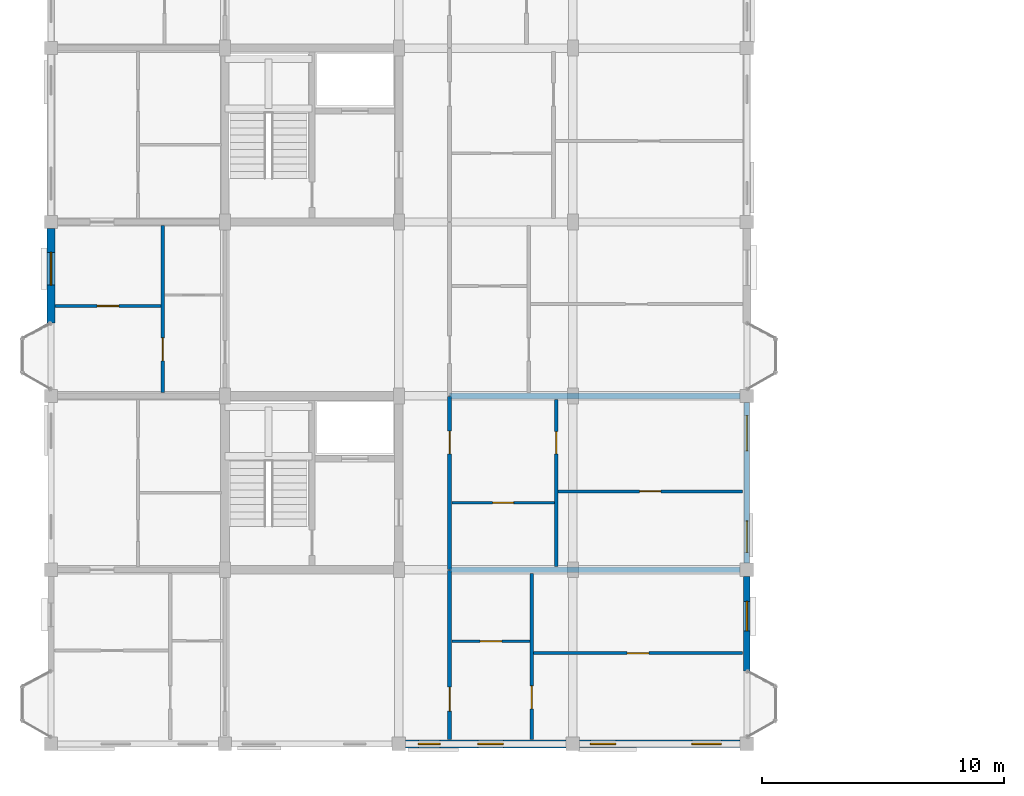
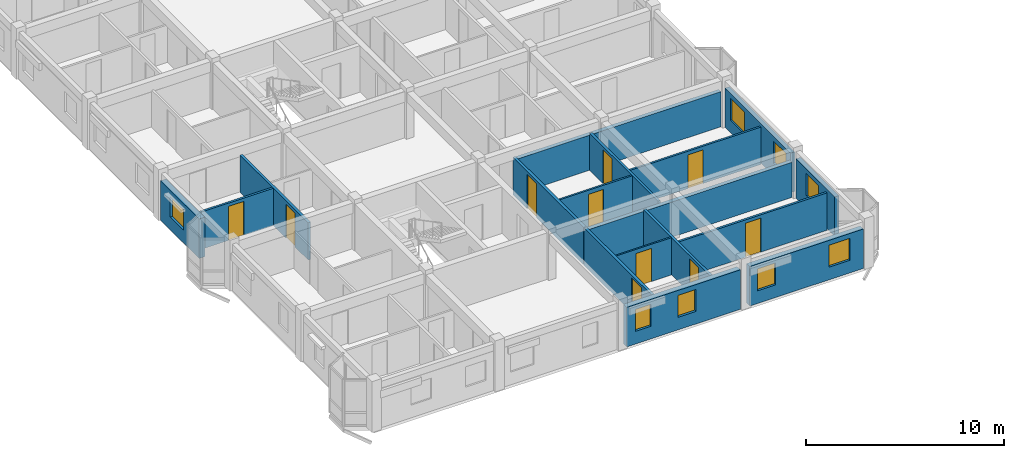
# One storey, part 51 of 77: 17 walls, 10 doors, 8 windows, 18 openings.
"""IFC4 building model written with IfcOpenShell, lengths in metres."""

from ifc_helpers import new_model, si_unit, direction, frame, frame_2d, origin, place, context, subcontext, project, spatial, rectangle, extrude, material, layer, layer_set, type_object, element, fill, save


model = new_model("IFC4")

# Units and contexts
model_context = context("Model", 3, precision=1e-05, world=origin(), true_north=direction((0.0, 1.0)))
body_context = subcontext(model_context, "Body", "Model", "MODEL_VIEW")
ifc_project = project(units=[si_unit("LENGTHUNIT", "METRE"), si_unit("AREAUNIT", "SQUARE_METRE"), si_unit("VOLUMEUNIT", "CUBIC_METRE"), si_unit("PLANEANGLEUNIT", "RADIAN"), si_unit("MASSUNIT", "GRAM", prefix="KILO"), si_unit("THERMODYNAMICTEMPERATUREUNIT", "KELVIN"), si_unit("POWERUNIT", "WATT")], contexts=[model_context])

# Site, building, storey
site_placement = place(None, origin())
site = spatial("IfcSite", under=ifc_project, at=site_placement, CompositionType="ELEMENT")
building_placement = place(site_placement, origin())
building = spatial("IfcBuilding", under=site, at=building_placement, Name="Tavuni Mirador Residences", CompositionType="ELEMENT")
storey_placement = place(building_placement, frame((0.0, 0.0, 17.10009765625)))
storey = spatial("IfcBuildingStorey", under=building, at=storey_placement, Name="L05", CompositionType="ELEMENT", Elevation=17.10009765625)

# Wall, opening, door
ifc_material_1 = material(Name="Precast concrete C40/50", Category="concrete")
ifc_layer_1 = layer(ifc_material_1, 0.1650390625, Name="Precast concrete C40/50", Category="concrete")
ifc_layer_set_1 = layer_set([ifc_layer_1], Name="Precast concrete C40/50")
wall_type_1 = type_object("IfcWallType", Name="WT-CORR165", PredefinedType="PARTITIONING", material=ifc_layer_set_1)
wall_1_placement = place(storey_placement, frame((20.10009765625, 7.375, 0.0), z_axis=(0.0, 0.0, 1.0), x_axis=(0.0, 1.0, 0.0)))
wall_1 = element("IfcWall", 1, at=wall_1_placement, inside=storey, type_object=wall_type_1, Name="CORW-BLK-A-L05-0-00", PredefinedType="PARTITIONING", context=body_context, shape_type="SweptSolid", body=[
    extrude(rectangle(XDim=7.0048828125, YDim=0.1650390625, at=frame_2d((3.50244140625, 0.0))), origin(), (0.0, 0.0, 1.0), 2.304931640625),
])
opening_1_placement = place(wall_1_placement, frame((1.175048828125, 0.0, 0.0)))
opening_1 = element("IfcOpeningElement", 2, at=opening_1_placement, cuts=wall_1, Name="Opening D-03", PredefinedType="OPENING", context=body_context, shape_type="SweptSolid", body=[
    extrude(rectangle(XDim=1.0, YDim=2.14990234375, at=frame_2d((0.5, 1.074951171875))), frame((0.0, 0.092529296875, 0.0), z_axis=(0.0, -1.0, 0.0), x_axis=(1.0, 0.0, 0.0)), (0.0, 0.0, 1.0), 0.18505859375),
])
ifc_material_2 = material(Name="Solid core iroko timber", Category="wood")
door_type_1 = type_object("IfcDoorType", Name="DT-FD60-1000", OperationType="NOTDEFINED", PredefinedType="DOOR", material=ifc_material_2)
door_1_placement = place(opening_1_placement, origin())
door_1 = element("IfcDoor", 3, at=door_1_placement, inside=storey, type_object=door_type_1, Name="DR-2433", OperationType="SINGLE_SWING_RIGHT", OverallHeight=2.14990234375, OverallWidth=1.0, PredefinedType="DOOR", context=body_context, shape_type="SweptSolid", body=[
    extrude(rectangle(XDim=1.0, YDim=2.14990234375, at=frame_2d((0.5, 1.074951171875))), frame((0.0, 0.02490234375, 0.0), z_axis=(0.0, -1.0, 0.0), x_axis=(1.0, 0.0, 0.0)), (0.0, 0.0, 1.0), 0.050048828125),
])
fill(opening_1, door_1)

wall_2_placement = place(storey_placement, frame((20.10009765625, 14.419921875, 0.0), z_axis=(0.0, 0.0, 1.0), x_axis=(0.0, 1.0, 0.0)))
wall_2 = element("IfcWall", 4, at=wall_2_placement, inside=storey, type_object=wall_type_1, Name="CORW-BLK-A-L05-0-01", PredefinedType="PARTITIONING", context=body_context, shape_type="SweptSolid", body=[
    extrude(rectangle(XDim=7.16015625, YDim=0.1650390625, at=frame_2d((3.580078125, 0.0))), origin(), (0.0, 0.0, 1.0), 2.304931640625),
])
opening_2_placement = place(wall_2_placement, frame((4.780029296875, 0.0, 0.0)))
opening_2 = element("IfcOpeningElement", 5, at=opening_2_placement, cuts=wall_2, Name="Opening D-19", PredefinedType="OPENING", context=body_context, shape_type="SweptSolid", body=[
    extrude(rectangle(XDim=0.93994140625, YDim=2.1201171875, at=frame_2d((0.469970703125, 1.06005859375))), frame((0.0, 0.092529296875, 0.0), z_axis=(0.0, -1.0, 0.0), x_axis=(1.0, 0.0, 0.0)), (0.0, 0.0, 1.0), 0.18505859375),
])
door_type_2 = type_object("IfcDoorType", Name="DT-FD60-940", OperationType="NOTDEFINED", PredefinedType="DOOR", material=ifc_material_2)
door_2_placement = place(opening_2_placement, origin())
door_2 = element("IfcDoor", 6, at=door_2_placement, inside=storey, type_object=door_type_2, Name="DR-2434", OperationType="SINGLE_SWING_LEFT", OverallHeight=2.1201171875, OverallWidth=0.93994140625, PredefinedType="DOOR", context=body_context, shape_type="SweptSolid", body=[
    extrude(rectangle(XDim=0.93994140625, YDim=2.1201171875, at=frame_2d((0.469970703125, 1.06005859375))), frame((0.0, 0.02490234375, 0.0), z_axis=(0.0, -1.0, 0.0), x_axis=(1.0, 0.0, 0.0)), (0.0, 0.0, 1.0), 0.050048828125),
])
fill(opening_2, door_2)

# Wall, openings, windows
ifc_layer_2 = layer(ifc_material_1, 0.330078125, Name="Precast concrete C40/50", Category="concrete")
ifc_layer_set_2 = layer_set([ifc_layer_2], Name="Precast concrete C40/50")
wall_type_2 = type_object("IfcWallType", Name="WT-EXT-COR330", PredefinedType="SOLIDWALL", material=ifc_layer_set_2)
wall_3_placement = place(storey_placement, frame((18.27490234375, 7.199951171875, 0.0), z_axis=(0.0, 0.0, 1.0), x_axis=(1.0, 0.0, 0.0)))
wall_3 = element("IfcWall", 7, at=wall_3_placement, inside=storey, type_object=wall_type_2, Name="EW-BLK-A-L05-S02", PredefinedType="SOLIDWALL", context=body_context, shape_type="SweptSolid", body=[
    extrude(rectangle(XDim=6.650146484375, YDim=0.330078125, at=frame_2d((3.3251953125, 0.0))), origin(), (0.0, 0.0, 1.0), 2.43994140625),
])
opening_3_placement = place(wall_3_placement, frame((0.532470703125, 0.0, 0.780029296875)))
opening_3 = element("IfcOpeningElement", 8, at=opening_3_placement, cuts=wall_3, Name="Opening WN-17", PredefinedType="OPENING", context=body_context, shape_type="SweptSolid", body=[
    extrude(rectangle(XDim=0.89990234375, YDim=1.360107421875, at=frame_2d((0.449951171875, 0.68017578125))), frame((0.0, 0.175048828125, 0.0), z_axis=(0.0, -1.0, 0.0), x_axis=(1.0, 0.0, 0.0)), (0.0, 0.0, 1.0), 0.35009765625),
])
opening_4_placement = place(wall_3_placement, frame((2.9951171875, 0.0, 0.780029296875)))
opening_4 = element("IfcOpeningElement", 9, at=opening_4_placement, cuts=wall_3, Name="Opening WN-19", PredefinedType="OPENING", context=body_context, shape_type="SweptSolid", body=[
    extrude(rectangle(XDim=1.06005859375, YDim=1.360107421875, at=frame_2d((0.530029296875, 0.68017578125))), frame((0.0, 0.175048828125, 0.0), z_axis=(0.0, -1.0, 0.0), x_axis=(1.0, 0.0, 0.0)), (0.0, 0.0, 1.0), 0.35009765625),
])
ifc_material_3 = material(Name="Laminated solar-control glass", Category="glass")
window_type_1 = type_object("IfcWindowType", Name="WNT-17", PartitioningType="SINGLE_PANEL", PredefinedType="WINDOW", material=ifc_material_3)
window_1_placement = place(opening_3_placement, origin())
window_1 = element("IfcWindow", 10, at=window_1_placement, inside=storey, type_object=window_type_1, Name="WIN-0191", OverallHeight=1.360107421875, OverallWidth=0.89990234375, PartitioningType="SINGLE_PANEL", PredefinedType="WINDOW", context=body_context, shape_type="SweptSolid", body=[
    extrude(rectangle(XDim=0.89990234375, YDim=1.360107421875, at=frame_2d((0.449951171875, 0.68017578125))), frame((0.0, 0.030029296875, 0.0), z_axis=(0.0, -1.0, 0.0), x_axis=(1.0, 0.0, 0.0)), (0.0, 0.0, 1.0), 0.06005859375),
])
fill(opening_3, window_1)
window_type_2 = type_object("IfcWindowType", Name="WNT-19", PartitioningType="SINGLE_PANEL", PredefinedType="WINDOW", material=ifc_material_3)
window_2_placement = place(opening_4_placement, origin())
window_2 = element("IfcWindow", 11, at=window_2_placement, inside=storey, type_object=window_type_2, Name="WIN-0192", OverallHeight=1.360107421875, OverallWidth=1.06005859375, PartitioningType="SINGLE_PANEL", PredefinedType="WINDOW", context=body_context, shape_type="SweptSolid", body=[
    extrude(rectangle(XDim=1.06005859375, YDim=1.360107421875, at=frame_2d((0.530029296875, 0.68017578125))), frame((0.0, 0.030029296875, 0.0), z_axis=(0.0, -1.0, 0.0), x_axis=(1.0, 0.0, 0.0)), (0.0, 0.0, 1.0), 0.06005859375),
])
fill(opening_4, window_2)

# Wall, opening, window
wall_4_placement = place(storey_placement, frame((3.60009765625, 28.52490234375, 0.0), z_axis=(0.0, 0.0, 1.0), x_axis=(0.0, -1.0, 0.0)))
wall_4 = element("IfcWall", 12, at=wall_4_placement, inside=storey, type_object=wall_type_2, Name="EW-BLK-A-L05-W02", PredefinedType="SOLIDWALL", context=body_context, shape_type="SweptSolid", body=[
    extrude(rectangle(XDim=3.90478515625, YDim=0.330078125, at=frame_2d((1.952392578125, 0.0))), origin(), (0.0, 0.0, 1.0), 2.43994140625),
])
opening_5_placement = place(wall_4_placement, frame((0.9775390625, 0.0, 0.780029296875)))
opening_5 = element("IfcOpeningElement", 13, at=opening_5_placement, cuts=wall_4, Name="Opening WN-15", PredefinedType="OPENING", context=body_context, shape_type="SweptSolid", body=[
    extrude(rectangle(XDim=1.360107421875, YDim=1.260009765625, at=frame_2d((0.68017578125, 0.6298828125))), frame((0.0, 0.175048828125, 0.0), z_axis=(0.0, -1.0, 0.0), x_axis=(1.0, 0.0, 0.0)), (0.0, 0.0, 1.0), 0.35009765625),
])
window_type_3 = type_object("IfcWindowType", Name="WNT-15", PartitioningType="SINGLE_PANEL", PredefinedType="WINDOW", material=ifc_material_3)
window_3_placement = place(opening_5_placement, origin())
window_3 = element("IfcWindow", 14, at=window_3_placement, inside=storey, type_object=window_type_3, Name="WIN-0219", OverallHeight=1.260009765625, OverallWidth=1.360107421875, PartitioningType="SINGLE_PANEL", PredefinedType="WINDOW", context=body_context, shape_type="SweptSolid", body=[
    extrude(rectangle(XDim=1.360107421875, YDim=1.260009765625, at=frame_2d((0.68017578125, 0.6298828125))), frame((0.0, 0.030029296875, 0.0), z_axis=(0.0, -1.0, 0.0), x_axis=(1.0, 0.0, 0.0)), (0.0, 0.0, 1.0), 0.06005859375),
])
fill(opening_5, window_3)

# Wall, openings, windows
ifc_material_4 = material(Name="Sgraffito lime-rendered precast concrete C40/50", Category="concrete")
ifc_layer_3 = layer(ifc_material_4, 0.2451171875, Name="Sgraffito lime-rendered precast concrete C40/50", Category="concrete")
ifc_layer_set_3 = layer_set([ifc_layer_3], Name="Sgraffito lime-rendered precast concrete C40/50")
wall_type_3 = type_object("IfcWallType", Name="WT-EXT-PC245", PredefinedType="SOLIDWALL", material=ifc_layer_set_3)
wall_5_placement = place(storey_placement, frame((32.39990234375, 14.675048828125, 0.0), z_axis=(0.0, 0.0, 1.0), x_axis=(0.0, 1.0, 0.0)))
wall_5 = element("IfcWall", 15, at=wall_5_placement, inside=storey, type_object=wall_type_3, Name="EW-BLK-A-L05-E01", PredefinedType="SOLIDWALL", context=body_context, shape_type="SweptSolid", body=[
    extrude(rectangle(XDim=6.64990234375, YDim=0.2451171875, at=frame_2d((3.324951171875, 0.0))), origin(), (0.0, 0.0, 1.0), 2.43994140625),
])
opening_6_placement = place(wall_5_placement, frame((0.449951171875, 0.0, 0.780029296875)))
opening_6 = element("IfcOpeningElement", 16, at=opening_6_placement, cuts=wall_5, Name="Opening WN-22", PredefinedType="OPENING", context=body_context, shape_type="SweptSolid", body=[
    extrude(rectangle(XDim=1.300048828125, YDim=1.360107421875, at=frame_2d((0.64990234375, 0.68017578125))), frame((0.0, 0.132568359375, 0.0), z_axis=(0.0, -1.0, 0.0), x_axis=(1.0, 0.0, 0.0)), (0.0, 0.0, 1.0), 0.26513671875),
])
opening_7_placement = place(wall_5_placement, frame((4.64990234375, 0.0, 0.780029296875)))
opening_7 = element("IfcOpeningElement", 17, at=opening_7_placement, cuts=wall_5, Name="Opening WN-24", PredefinedType="OPENING", context=body_context, shape_type="SweptSolid", body=[
    extrude(rectangle(XDim=1.4599609375, YDim=1.360107421875, at=frame_2d((0.72998046875, 0.68017578125))), frame((0.0, 0.132568359375, 0.0), z_axis=(0.0, -1.0, 0.0), x_axis=(1.0, 0.0, 0.0)), (0.0, 0.0, 1.0), 0.26513671875),
])
window_type_4 = type_object("IfcWindowType", Name="WNT-22", PartitioningType="SINGLE_PANEL", PredefinedType="WINDOW", material=ifc_material_3)
window_4_placement = place(opening_6_placement, origin())
window_4 = element("IfcWindow", 18, at=window_4_placement, inside=storey, type_object=window_type_4, Name="WIN-0196", OverallHeight=1.360107421875, OverallWidth=1.300048828125, PartitioningType="SINGLE_PANEL", PredefinedType="WINDOW", context=body_context, shape_type="SweptSolid", body=[
    extrude(rectangle(XDim=1.300048828125, YDim=1.360107421875, at=frame_2d((0.64990234375, 0.68017578125))), frame((0.0, 0.030029296875, 0.0), z_axis=(0.0, -1.0, 0.0), x_axis=(1.0, 0.0, 0.0)), (0.0, 0.0, 1.0), 0.06005859375),
])
fill(opening_6, window_4)
window_type_5 = type_object("IfcWindowType", Name="WNT-24", PartitioningType="SINGLE_PANEL", PredefinedType="WINDOW", material=ifc_material_3)
window_5_placement = place(opening_7_placement, origin())
window_5 = element("IfcWindow", 19, at=window_5_placement, inside=storey, type_object=window_type_5, Name="WIN-0197", OverallHeight=1.360107421875, OverallWidth=1.4599609375, PartitioningType="SINGLE_PANEL", PredefinedType="WINDOW", context=body_context, shape_type="SweptSolid", body=[
    extrude(rectangle(XDim=1.4599609375, YDim=1.360107421875, at=frame_2d((0.72998046875, 0.68017578125))), frame((0.0, 0.030029296875, 0.0), z_axis=(0.0, -1.0, 0.0), x_axis=(1.0, 0.0, 0.0)), (0.0, 0.0, 1.0), 0.06005859375),
])
fill(opening_7, window_5)

# Wall, opening, window
ifc_layer_4 = layer(ifc_material_4, 0.2548828125, Name="Sgraffito lime-rendered precast concrete C40/50", Category="concrete")
ifc_layer_set_4 = layer_set([ifc_layer_4], Name="Sgraffito lime-rendered precast concrete C40/50")
wall_type_4 = type_object("IfcWallType", Name="WT-EXT-PC255", PredefinedType="SOLIDWALL", material=ifc_layer_set_4)
wall_6_placement = place(storey_placement, frame((32.39990234375, 10.219970703125, 0.0), z_axis=(0.0, 0.0, 1.0), x_axis=(0.0, 1.0, 0.0)))
wall_6 = element("IfcWall", 20, at=wall_6_placement, inside=storey, type_object=wall_type_4, Name="EW-BLK-A-L05-E00", PredefinedType="SOLIDWALL", context=body_context, shape_type="SweptSolid", body=[
    extrude(rectangle(XDim=3.905029296875, YDim=0.2548828125, at=frame_2d((1.95263671875, 0.0))), origin(), (0.0, 0.0, 1.0), 2.43994140625),
])
opening_8_placement = place(wall_6_placement, frame((1.652587890625, 0.0, 0.780029296875)))
opening_8 = element("IfcOpeningElement", 21, at=opening_8_placement, cuts=wall_6, Name="Opening WN-21", PredefinedType="OPENING", context=body_context, shape_type="SweptSolid", body=[
    extrude(rectangle(XDim=1.219970703125, YDim=1.360107421875, at=frame_2d((0.60986328125, 0.68017578125))), frame((0.0, 0.137451171875, 0.0), z_axis=(0.0, -1.0, 0.0), x_axis=(1.0, 0.0, 0.0)), (0.0, 0.0, 1.0), 0.27490234375),
])
window_type_6 = type_object("IfcWindowType", Name="WNT-21", PartitioningType="SINGLE_PANEL", PredefinedType="WINDOW", material=ifc_material_3)
window_6_placement = place(opening_8_placement, origin())
window_6 = element("IfcWindow", 22, at=window_6_placement, inside=storey, type_object=window_type_6, Name="WIN-0195", OverallHeight=1.360107421875, OverallWidth=1.219970703125, PartitioningType="SINGLE_PANEL", PredefinedType="WINDOW", context=body_context, shape_type="SweptSolid", body=[
    extrude(rectangle(XDim=1.219970703125, YDim=1.360107421875, at=frame_2d((0.60986328125, 0.68017578125))), frame((0.0, 0.030029296875, 0.0), z_axis=(0.0, -1.0, 0.0), x_axis=(1.0, 0.0, 0.0)), (0.0, 0.0, 1.0), 0.06005859375),
])
fill(opening_8, window_6)

# Wall, openings, windows
ifc_layer_5 = layer(ifc_material_4, 0.31494140625, Name="Sgraffito lime-rendered precast concrete C40/50", Category="concrete")
ifc_layer_set_5 = layer_set([ifc_layer_5], Name="Sgraffito lime-rendered precast concrete C40/50")
wall_type_5 = type_object("IfcWallType", Name="WT-EXT-PC315", PredefinedType="SOLIDWALL", material=ifc_layer_set_5)
wall_7_placement = place(storey_placement, frame((25.47509765625, 7.199951171875, 0.0), z_axis=(0.0, 0.0, 1.0), x_axis=(1.0, 0.0, 0.0)))
wall_7 = element("IfcWall", 23, at=wall_7_placement, inside=storey, type_object=wall_type_5, Name="EW-BLK-A-L05-S03", PredefinedType="SOLIDWALL", context=body_context, shape_type="SweptSolid", body=[
    extrude(rectangle(XDim=6.64990234375, YDim=0.31494140625, at=frame_2d((3.324951171875, 0.0))), origin(), (0.0, 0.0, 1.0), 2.43994140625),
])
opening_9_placement = place(wall_7_placement, frame((0.449951171875, 0.0, 0.780029296875)))
opening_9 = element("IfcOpeningElement", 24, at=opening_9_placement, cuts=wall_7, Name="Opening WN-19", PredefinedType="OPENING", context=body_context, shape_type="SweptSolid", body=[
    extrude(rectangle(XDim=1.06005859375, YDim=1.360107421875, at=frame_2d((0.530029296875, 0.68017578125))), frame((0.0, 0.16748046875, 0.0), z_axis=(0.0, -1.0, 0.0), x_axis=(1.0, 0.0, 0.0)), (0.0, 0.0, 1.0), 0.3349609375),
])
opening_10_placement = place(wall_7_placement, frame((4.64990234375, 0.0, 0.780029296875)))
opening_10 = element("IfcOpeningElement", 25, at=opening_10_placement, cuts=wall_7, Name="Opening WN-21", PredefinedType="OPENING", context=body_context, shape_type="SweptSolid", body=[
    extrude(rectangle(XDim=1.219970703125, YDim=1.360107421875, at=frame_2d((0.60986328125, 0.68017578125))), frame((0.0, 0.16748046875, 0.0), z_axis=(0.0, -1.0, 0.0), x_axis=(1.0, 0.0, 0.0)), (0.0, 0.0, 1.0), 0.3349609375),
])
window_7_placement = place(opening_9_placement, origin())
window_7 = element("IfcWindow", 26, at=window_7_placement, inside=storey, type_object=window_type_2, Name="WIN-0193", OverallHeight=1.360107421875, OverallWidth=1.06005859375, PartitioningType="SINGLE_PANEL", PredefinedType="WINDOW", context=body_context, shape_type="SweptSolid", body=[
    extrude(rectangle(XDim=1.06005859375, YDim=1.360107421875, at=frame_2d((0.530029296875, 0.68017578125))), frame((0.0, 0.030029296875, 0.0), z_axis=(0.0, -1.0, 0.0), x_axis=(1.0, 0.0, 0.0)), (0.0, 0.0, 1.0), 0.06005859375),
])
fill(opening_9, window_7)
window_8_placement = place(opening_10_placement, origin())
window_8 = element("IfcWindow", 27, at=window_8_placement, inside=storey, type_object=window_type_6, Name="WIN-0194", OverallHeight=1.360107421875, OverallWidth=1.219970703125, PartitioningType="SINGLE_PANEL", PredefinedType="WINDOW", context=body_context, shape_type="SweptSolid", body=[
    extrude(rectangle(XDim=1.219970703125, YDim=1.360107421875, at=frame_2d((0.60986328125, 0.68017578125))), frame((0.0, 0.030029296875, 0.0), z_axis=(0.0, -1.0, 0.0), x_axis=(1.0, 0.0, 0.0)), (0.0, 0.0, 1.0), 0.06005859375),
])
fill(opening_10, window_8)

# Wall, opening, door
ifc_material_5 = material(Name="Acoustic gypsum and concrete block partition", Category="concrete")
ifc_layer_6 = layer(ifc_material_5, 0.094970703125, Name="Acoustic gypsum and concrete block partition", Category="concrete")
ifc_layer_set_6 = layer_set([ifc_layer_6], Name="Acoustic gypsum and concrete block partition")
wall_type_6 = type_object("IfcWallType", Name="WT-PART095", PredefinedType="PARTITIONING", material=ifc_layer_set_6)
wall_8_placement = place(storey_placement, frame((20.18994140625, 11.449951171875, 0.0), z_axis=(0.0, 0.0, 1.0), x_axis=(1.0, 0.0, 0.0)))
wall_8 = element("IfcWall", 28, at=wall_8_placement, inside=storey, type_object=wall_type_6, Name="PW-BLK-A-L05-E00-IN1", PredefinedType="PARTITIONING", context=body_context, shape_type="SweptSolid", body=[
    extrude(rectangle(XDim=3.239990234375, YDim=0.094970703125, at=frame_2d((1.6201171875, 0.0))), origin(), (0.0, 0.0, 1.0), 2.304931640625),
])
opening_11_placement = place(wall_8_placement, frame((1.169921875, 0.0, 0.0)))
opening_11 = element("IfcOpeningElement", 29, at=opening_11_placement, cuts=wall_8, Name="Opening D-09", PredefinedType="OPENING", context=body_context, shape_type="SweptSolid", body=[
    extrude(rectangle(XDim=0.89990234375, YDim=2.050048828125, at=frame_2d((0.449951171875, 1.02490234375))), frame((0.0, 0.0576171875, 0.0), z_axis=(0.0, -1.0, 0.0), x_axis=(1.0, 0.0, 0.0)), (0.0, 0.0, 1.0), 0.114990234375),
])
door_type_3 = type_object("IfcDoorType", Name="DT-WC900", OperationType="NOTDEFINED", PredefinedType="DOOR", material=ifc_material_2)
door_3_placement = place(opening_11_placement, origin())
door_3 = element("IfcDoor", 30, at=door_3_placement, inside=storey, type_object=door_type_3, Name="DR-3103", OperationType="SINGLE_SWING_RIGHT", OverallHeight=2.050048828125, OverallWidth=0.89990234375, PredefinedType="DOOR", context=body_context, shape_type="SweptSolid", body=[
    extrude(rectangle(XDim=0.89990234375, YDim=2.050048828125, at=frame_2d((0.449951171875, 1.02490234375))), frame((0.0, 0.02490234375, 0.0), z_axis=(0.0, -1.0, 0.0), x_axis=(1.0, 0.0, 0.0)), (0.0, 0.0, 1.0), 0.050048828125),
])
fill(opening_11, door_3)

ifc_layer_7 = layer(ifc_material_5, 0.10498046875, Name="Acoustic gypsum and concrete block partition", Category="concrete")
ifc_layer_set_7 = layer_set([ifc_layer_7], Name="Acoustic gypsum and concrete block partition")
wall_type_7 = type_object("IfcWallType", Name="WT-PART105", PredefinedType="PARTITIONING", material=ifc_layer_set_7)
wall_9_placement = place(storey_placement, frame((20.18994140625, 17.179931640625, 0.0), z_axis=(0.0, 0.0, 1.0), x_axis=(1.0, 0.0, 0.0)))
wall_9 = element("IfcWall", 31, at=wall_9_placement, inside=storey, type_object=wall_type_7, Name="PW-BLK-A-L05-E01-IN1", PredefinedType="PARTITIONING", context=body_context, shape_type="SweptSolid", body=[
    extrude(rectangle(XDim=4.25, YDim=0.10498046875, at=frame_2d((2.125, 0.0))), origin(), (0.0, 0.0, 1.0), 2.304931640625),
])
opening_12_placement = place(wall_9_placement, frame((1.68994140625, 0.0, 0.0)))
opening_12 = element("IfcOpeningElement", 32, at=opening_12_placement, cuts=wall_9, Name="Opening D-10", PredefinedType="OPENING", context=body_context, shape_type="SweptSolid", body=[
    extrude(rectangle(XDim=0.8701171875, YDim=2.050048828125, at=frame_2d((0.43505859375, 1.02490234375))), frame((0.0, 0.0625, 0.0), z_axis=(0.0, -1.0, 0.0), x_axis=(1.0, 0.0, 0.0)), (0.0, 0.0, 1.0), 0.125),
])
door_type_4 = type_object("IfcDoorType", Name="DT-WC870", OperationType="NOTDEFINED", PredefinedType="DOOR", material=ifc_material_2)
door_4_placement = place(opening_12_placement, origin())
door_4 = element("IfcDoor", 33, at=door_4_placement, inside=storey, type_object=door_type_4, Name="DR-3108", OperationType="SINGLE_SWING_LEFT", OverallHeight=2.050048828125, OverallWidth=0.8701171875, PredefinedType="DOOR", context=body_context, shape_type="SweptSolid", body=[
    extrude(rectangle(XDim=0.8701171875, YDim=2.050048828125, at=frame_2d((0.43505859375, 1.02490234375))), frame((0.0, 0.02490234375, 0.0), z_axis=(0.0, -1.0, 0.0), x_axis=(1.0, 0.0, 0.0)), (0.0, 0.0, 1.0), 0.050048828125),
])
fill(opening_12, door_4)

ifc_layer_8 = layer(ifc_material_5, 0.114990234375, Name="Acoustic gypsum and concrete block partition", Category="concrete")
ifc_layer_set_8 = layer_set([ifc_layer_8], Name="Acoustic gypsum and concrete block partition")
wall_type_8 = type_object("IfcWallType", Name="WT-PART115", PredefinedType="PARTITIONING", material=ifc_layer_set_8)
wall_10_placement = place(storey_placement, frame((24.580078125, 17.64990234375, 0.0), z_axis=(0.0, 0.0, 1.0), x_axis=(1.0, 0.0, 0.0)))
wall_10 = element("IfcWall", 34, at=wall_10_placement, inside=storey, type_object=wall_type_8, Name="PW-BLK-A-L05-E01-OUT", PredefinedType="PARTITIONING", context=body_context, shape_type="SweptSolid", body=[
    extrude(rectangle(XDim=7.64501953125, YDim=0.114990234375, at=frame_2d((3.822509765625, 0.0))), origin(), (0.0, 0.0, 1.0), 2.304931640625),
])
opening_13_placement = place(wall_10_placement, frame((3.382568359375, 0.0, 0.0)))
opening_13 = element("IfcOpeningElement", 35, at=opening_13_placement, cuts=wall_10, Name="Opening D-08", PredefinedType="OPENING", context=body_context, shape_type="SweptSolid", body=[
    extrude(rectangle(XDim=0.8798828125, YDim=2.080078125, at=frame_2d((0.43994140625, 1.0400390625))), frame((0.0, 0.0673828125, 0.0), z_axis=(0.0, -1.0, 0.0), x_axis=(1.0, 0.0, 0.0)), (0.0, 0.0, 1.0), 0.135009765625),
])
door_type_5 = type_object("IfcDoorType", Name="DT-BED880", OperationType="NOTDEFINED", PredefinedType="DOOR", material=ifc_material_2)
door_5_placement = place(opening_13_placement, origin())
door_5 = element("IfcDoor", 36, at=door_5_placement, inside=storey, type_object=door_type_5, Name="DR-3107", OperationType="SINGLE_SWING_RIGHT", OverallHeight=2.080078125, OverallWidth=0.8798828125, PredefinedType="DOOR", context=body_context, shape_type="SweptSolid", body=[
    extrude(rectangle(XDim=0.8798828125, YDim=2.080078125, at=frame_2d((0.43994140625, 1.0400390625))), frame((0.0, 0.02490234375, 0.0), z_axis=(0.0, -1.0, 0.0), x_axis=(1.0, 0.0, 0.0)), (0.0, 0.0, 1.0), 0.050048828125),
])
fill(opening_13, door_5)

ifc_layer_9 = layer(ifc_material_5, 0.125, Name="Acoustic gypsum and concrete block partition", Category="concrete")
ifc_layer_set_9 = layer_set([ifc_layer_9], Name="Acoustic gypsum and concrete block partition")
wall_type_9 = type_object("IfcWallType", Name="WT-PART125", PredefinedType="PARTITIONING", material=ifc_layer_set_9)
wall_11_placement = place(storey_placement, frame((23.570068359375, 10.949951171875, 0.0), z_axis=(0.0, 0.0, 1.0), x_axis=(1.0, 0.0, 0.0)))
wall_11 = element("IfcWall", 37, at=wall_11_placement, inside=storey, type_object=wall_type_9, Name="PW-BLK-A-L05-E00-OUT", PredefinedType="PARTITIONING", context=body_context, shape_type="SweptSolid", body=[
    extrude(rectangle(XDim=8.655029296875, YDim=0.125, at=frame_2d((4.32763671875, 0.0))), origin(), (0.0, 0.0, 1.0), 2.304931640625),
])
opening_14_placement = place(wall_11_placement, frame((3.87744140625, 0.0, 0.0)))
opening_14 = element("IfcOpeningElement", 38, at=opening_14_placement, cuts=wall_11, Name="Opening D-07", PredefinedType="OPENING", context=body_context, shape_type="SweptSolid", body=[
    extrude(rectangle(XDim=0.89990234375, YDim=2.10009765625, at=frame_2d((0.449951171875, 1.050048828125))), frame((0.0, 0.072509765625, 0.0), z_axis=(0.0, -1.0, 0.0), x_axis=(1.0, 0.0, 0.0)), (0.0, 0.0, 1.0), 0.14501953125),
])
door_type_6 = type_object("IfcDoorType", Name="DT-BED900", OperationType="NOTDEFINED", PredefinedType="DOOR", material=ifc_material_2)
door_6_placement = place(opening_14_placement, origin())
door_6 = element("IfcDoor", 39, at=door_6_placement, inside=storey, type_object=door_type_6, Name="DR-3102", OperationType="SINGLE_SWING_LEFT", OverallHeight=2.10009765625, OverallWidth=0.89990234375, PredefinedType="DOOR", context=body_context, shape_type="SweptSolid", body=[
    extrude(rectangle(XDim=0.89990234375, YDim=2.10009765625, at=frame_2d((0.449951171875, 1.050048828125))), frame((0.0, 0.02490234375, 0.0), z_axis=(0.0, -1.0, 0.0), x_axis=(1.0, 0.0, 0.0)), (0.0, 0.0, 1.0), 0.050048828125),
])
fill(opening_14, door_6)

wall_12_placement = place(storey_placement, frame((3.77490234375, 25.320068359375, 0.0), z_axis=(0.0, 0.0, 1.0), x_axis=(1.0, 0.0, 0.0)))
wall_12 = element("IfcWall", 40, at=wall_12_placement, inside=storey, type_object=wall_type_9, Name="PW-BLK-A-L05-W02-OUT", PredefinedType="PARTITIONING", context=body_context, shape_type="SweptSolid", body=[
    extrude(rectangle(XDim=4.375, YDim=0.125, at=frame_2d((2.1875, 0.0))), origin(), (0.0, 0.0, 1.0), 2.304931640625),
])
opening_15_placement = place(wall_12_placement, frame((1.737548828125, 0.0, 0.0)))
opening_15 = element("IfcOpeningElement", 41, at=opening_15_placement, cuts=wall_12, Name="Opening D-07", PredefinedType="OPENING", context=body_context, shape_type="SweptSolid", body=[
    extrude(rectangle(XDim=0.89990234375, YDim=2.10009765625, at=frame_2d((0.449951171875, 1.050048828125))), frame((0.0, 0.072509765625, 0.0), z_axis=(0.0, -1.0, 0.0), x_axis=(1.0, 0.0, 0.0)), (0.0, 0.0, 1.0), 0.14501953125),
])
door_7_placement = place(opening_15_placement, origin())
door_7 = element("IfcDoor", 42, at=door_7_placement, inside=storey, type_object=door_type_6, Name="DR-3110", OperationType="SINGLE_SWING_LEFT", OverallHeight=2.10009765625, OverallWidth=0.89990234375, PredefinedType="DOOR", context=body_context, shape_type="SweptSolid", body=[
    extrude(rectangle(XDim=0.89990234375, YDim=2.10009765625, at=frame_2d((0.449951171875, 1.050048828125))), frame((0.0, 0.02490234375, 0.0), z_axis=(0.0, -1.0, 0.0), x_axis=(1.0, 0.0, 0.0)), (0.0, 0.0, 1.0), 0.050048828125),
])
fill(opening_15, door_7)

ifc_layer_10 = layer(ifc_material_5, 0.139892578125, Name="Acoustic gypsum and concrete block partition", Category="concrete")
ifc_layer_set_10 = layer_set([ifc_layer_10], Name="Acoustic gypsum and concrete block partition")
wall_type_10 = type_object("IfcWallType", Name="WT-PART140", PredefinedType="PARTITIONING", material=ifc_layer_set_10)
wall_13_placement = place(storey_placement, frame((24.510009765625, 14.5400390625, 0.0), z_axis=(0.0, 0.0, 1.0), x_axis=(0.0, 1.0, 0.0)))
wall_13 = element("IfcWall", 43, at=wall_13_placement, inside=storey, type_object=wall_type_10, Name="PW-BLK-A-L05-E01-MID", PredefinedType="PARTITIONING", context=body_context, shape_type="SweptSolid", body=[
    extrude(rectangle(XDim=6.919921875, YDim=0.139892578125, at=frame_2d((3.4599609375, 0.0))), origin(), (0.0, 0.0, 1.0), 2.304931640625),
])
opening_16_placement = place(wall_13_placement, frame((4.659912109375, 0.0, 0.0)))
opening_16 = element("IfcOpeningElement", 44, at=opening_16_placement, cuts=wall_13, Name="Opening D-06", PredefinedType="OPENING", context=body_context, shape_type="SweptSolid", body=[
    extrude(rectangle(XDim=0.919921875, YDim=2.10009765625, at=frame_2d((0.4599609375, 1.050048828125))), frame((0.0, 0.080078125, 0.0), z_axis=(0.0, -1.0, 0.0), x_axis=(1.0, 0.0, 0.0)), (0.0, 0.0, 1.0), 0.159912109375),
])
door_type_7 = type_object("IfcDoorType", Name="DT-INT920", OperationType="NOTDEFINED", PredefinedType="DOOR", material=ifc_material_2)
door_8_placement = place(opening_16_placement, origin())
door_8 = element("IfcDoor", 45, at=door_8_placement, inside=storey, type_object=door_type_7, Name="DR-3109", OperationType="SINGLE_SWING_RIGHT", OverallHeight=2.10009765625, OverallWidth=0.919921875, PredefinedType="DOOR", context=body_context, shape_type="SweptSolid", body=[
    extrude(rectangle(XDim=0.919921875, YDim=2.10009765625, at=frame_2d((0.4599609375, 1.050048828125))), frame((0.0, 0.02490234375, 0.0), z_axis=(0.0, -1.0, 0.0), x_axis=(1.0, 0.0, 0.0)), (0.0, 0.0, 1.0), 0.050048828125),
])
fill(opening_16, door_8)

ifc_layer_11 = layer(ifc_material_5, 0.14990234375, Name="Acoustic gypsum and concrete block partition", Category="concrete")
ifc_layer_set_11 = layer_set([ifc_layer_11], Name="Acoustic gypsum and concrete block partition")
wall_type_11 = type_object("IfcWallType", Name="WT-PART150", PredefinedType="PARTITIONING", material=ifc_layer_set_11)
wall_14_placement = place(storey_placement, frame((23.5, 7.375, 0.0), z_axis=(0.0, 0.0, 1.0), x_axis=(0.0, 1.0, 0.0)))
wall_14 = element("IfcWall", 46, at=wall_14_placement, inside=storey, type_object=wall_type_11, Name="PW-BLK-A-L05-E00-MID", PredefinedType="PARTITIONING", context=body_context, shape_type="SweptSolid", body=[
    extrude(rectangle(XDim=6.885009765625, YDim=0.14990234375, at=frame_2d((3.4423828125, 0.0))), origin(), (0.0, 0.0, 1.0), 2.304931640625),
])
opening_17_placement = place(wall_14_placement, frame((1.27490234375, 0.0, 0.0)))
opening_17 = element("IfcOpeningElement", 47, at=opening_17_placement, cuts=wall_14, Name="Opening D-05", PredefinedType="OPENING", context=body_context, shape_type="SweptSolid", body=[
    extrude(rectangle(XDim=0.949951171875, YDim=2.10009765625, at=frame_2d((0.47509765625, 1.050048828125))), frame((0.0, 0.0849609375, 0.0), z_axis=(0.0, -1.0, 0.0), x_axis=(1.0, 0.0, 0.0)), (0.0, 0.0, 1.0), 0.169921875),
])
door_type_8 = type_object("IfcDoorType", Name="DT-INT950", OperationType="NOTDEFINED", PredefinedType="DOOR", material=ifc_material_2)
door_9_placement = place(opening_17_placement, origin())
door_9 = element("IfcDoor", 48, at=door_9_placement, inside=storey, type_object=door_type_8, Name="DR-3104", OperationType="SINGLE_SWING_LEFT", OverallHeight=2.10009765625, OverallWidth=0.949951171875, PredefinedType="DOOR", context=body_context, shape_type="SweptSolid", body=[
    extrude(rectangle(XDim=0.949951171875, YDim=2.10009765625, at=frame_2d((0.47509765625, 1.050048828125))), frame((0.0, 0.02490234375, 0.0), z_axis=(0.0, -1.0, 0.0), x_axis=(1.0, 0.0, 0.0)), (0.0, 0.0, 1.0), 0.050048828125),
])
fill(opening_17, door_9)

wall_15_placement = place(storey_placement, frame((8.219970703125, 21.739990234375, 0.0), z_axis=(0.0, 0.0, 1.0), x_axis=(0.0, 1.0, 0.0)))
wall_15 = element("IfcWall", 49, at=wall_15_placement, inside=storey, type_object=wall_type_11, Name="PW-BLK-A-L05-W02-MID", PredefinedType="PARTITIONING", context=body_context, shape_type="SweptSolid", body=[
    extrude(rectangle(XDim=6.919921875, YDim=0.14990234375, at=frame_2d((3.4599609375, 0.0))), origin(), (0.0, 0.0, 1.0), 2.304931640625),
])
opening_18_placement = place(wall_15_placement, frame((1.31005859375, 0.0, 0.0)))
opening_18 = element("IfcOpeningElement", 50, at=opening_18_placement, cuts=wall_15, Name="Opening D-05", PredefinedType="OPENING", context=body_context, shape_type="SweptSolid", body=[
    extrude(rectangle(XDim=0.949951171875, YDim=2.10009765625, at=frame_2d((0.47509765625, 1.050048828125))), frame((0.0, 0.0849609375, 0.0), z_axis=(0.0, -1.0, 0.0), x_axis=(1.0, 0.0, 0.0)), (0.0, 0.0, 1.0), 0.169921875),
])
door_10_placement = place(opening_18_placement, origin())
door_10 = element("IfcDoor", 51, at=door_10_placement, inside=storey, type_object=door_type_8, Name="DR-3112", OperationType="SINGLE_SWING_LEFT", OverallHeight=2.10009765625, OverallWidth=0.949951171875, PredefinedType="DOOR", context=body_context, shape_type="SweptSolid", body=[
    extrude(rectangle(XDim=0.949951171875, YDim=2.10009765625, at=frame_2d((0.47509765625, 1.050048828125))), frame((0.0, 0.02490234375, 0.0), z_axis=(0.0, -1.0, 0.0), x_axis=(1.0, 0.0, 0.0)), (0.0, 0.0, 1.0), 0.050048828125),
])
fill(opening_18, door_10)

# Walls
ifc_layer_12 = layer(ifc_material_1, 0.235107421875, Name="Precast concrete C40/50", Category="concrete")
ifc_layer_set_12 = layer_set([ifc_layer_12], Name="Precast concrete C40/50")
wall_type_12 = type_object("IfcWallType", Name="WT-XW235", PredefinedType="SOLIDWALL", material=ifc_layer_set_12)
for number, where, z_axis, x_axis, name in (
    (52, (20.10009765625, 14.39990234375, 0.0), (0.0, 0.0, 1.0), (1.0, 0.0, 0.0), "XW-BLK-A-L05-E-01"),
    (53, (20.10009765625, 21.60009765625, 0.0), (0.0, 0.0, 1.0), (1.0, 0.0, 0.0), "XW-BLK-A-L05-E-02"),
):
    element("IfcWall", number, at=place(storey_placement, frame(where, z_axis=z_axis, x_axis=x_axis)), inside=storey, type_object=wall_type_12, Name=name, PredefinedType="SOLIDWALL", context=body_context, shape_type="SweptSolid", body=[
        extrude(rectangle(XDim=12.02490234375, YDim=0.235107421875, at=frame_2d((6.012451171875, 0.0))), origin(), (0.0, 0.0, 1.0), 2.169921875),
    ])

save(model, "model.ifc")
